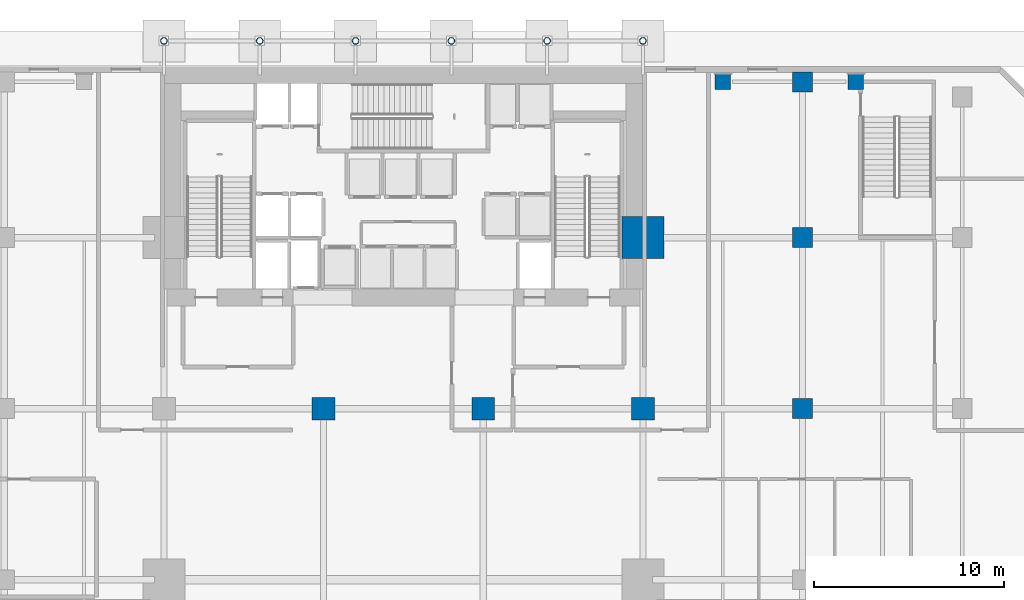
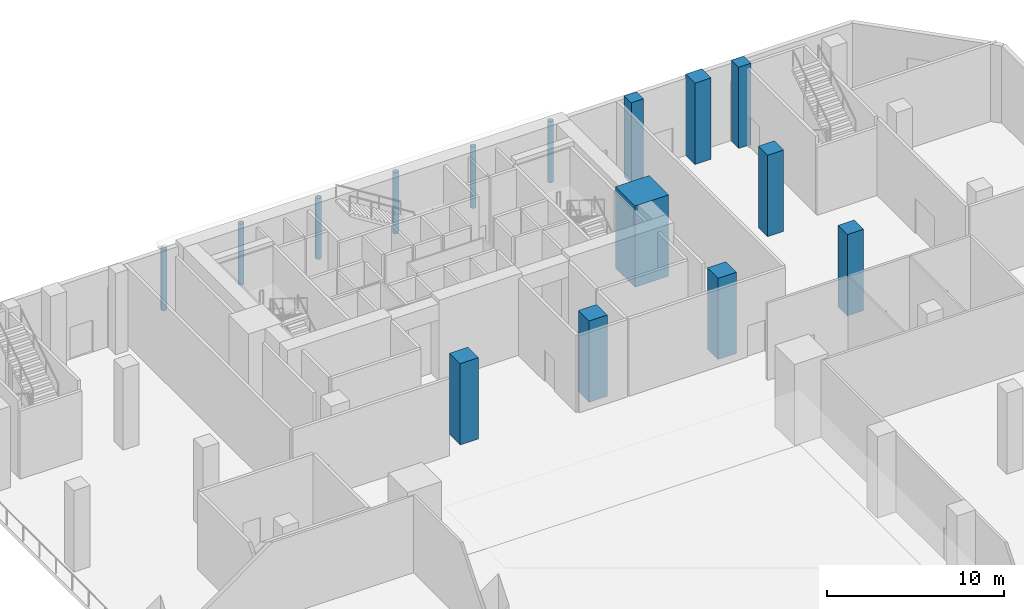
# One storey, part 2 of 35: 15 columns.
"""IFC4 building model written with IfcOpenShell, lengths in metres."""

from ifc_helpers import new_model, si_unit, direction, frame, origin, origin_2d, place, context, subcontext, project, spatial, rectangle, hollow_circle, extrude, material, material_profile, profile_set, type_object, element, save


model = new_model("IFC4")

# Units and contexts
model_context = context("Model", 3, precision=1e-05, world=origin(), true_north=direction((0.0, 1.0)))
body_context = subcontext(model_context, "Body", "Model", "MODEL_VIEW")
ifc_project = project(units=[si_unit("LENGTHUNIT", "METRE"), si_unit("AREAUNIT", "SQUARE_METRE"), si_unit("VOLUMEUNIT", "CUBIC_METRE"), si_unit("PLANEANGLEUNIT", "RADIAN"), si_unit("MASSUNIT", "GRAM", prefix="KILO")], contexts=[model_context])

# Site, building, storey
site_placement = place(None, origin())
site = spatial("IfcSite", under=ifc_project, at=site_placement, CompositionType="ELEMENT")
building_placement = place(site_placement, origin())
building = spatial("IfcBuilding", under=site, at=building_placement, Name="Maruvema Waterfront Hotel and Observation Tower", CompositionType="ELEMENT")
storey_placement = place(building_placement, origin())
storey = spatial("IfcBuildingStorey", under=building, at=storey_placement, Name="L00", CompositionType="ELEMENT", Elevation=0.0)

# Columns
ifc_material_1 = material(Name="Concrete C80/95", Category="concrete")
ifc_material_profile_1 = material_profile(ifc_material_1, rectangle(XDim=2.199951171875, YDim=2.199951171875, at=origin_2d()), Name="MC2200x2200")
ifc_profile_set_1 = profile_set([ifc_material_profile_1], Name="Concrete C80/95")
column_type_1 = type_object("IfcColumnType", Name="Continuous Mega-Column MC2200x2200", PredefinedType="COLUMN", material=ifc_profile_set_1)
column_placement = place(storey_placement, frame((50.39990234375, 45.0, 0.0), z_axis=(0.0, 0.0, 1.0), x_axis=(1.0, 0.0, 0.0)))
element("IfcColumn", 1, at=column_placement, inside=storey, type_object=column_type_1, Name="L00 Continuous Mega-Column MC-04", PredefinedType="COLUMN", context=body_context, shape_type="SweptSolid", body=[
    extrude(rectangle(XDim=2.199951171875, YDim=2.199951171875, at=origin_2d()), origin(), (0.0, 0.0, 1.0), 5.60009765625),
])
ifc_material_2 = material(Name="Concrete C60/75", Category="concrete")
ifc_material_profile_2 = material_profile(ifc_material_2, rectangle(XDim=1.050048828125, YDim=1.050048828125, at=origin_2d()), Name="RC1050x1050")
ifc_profile_set_2 = profile_set([ifc_material_profile_2], Name="Concrete C60/75")
column_type_2 = type_object("IfcColumnType", Name="Reinforced Concrete Column RC1050x1050", PredefinedType="COLUMN", material=ifc_profile_set_2)
for number, where, z_axis, x_axis, name in (
    (2, (58.800048828125, 36.0, 0.0), (0.0, 0.0, 1.0), (1.0, 0.0, 0.0), "L00 Column C-8Y36"),
    (3, (58.800048828125, 45.0, 0.0), (0.0, 0.0, 1.0), (1.0, 0.0, 0.0), "L00 Column C-8Y45"),
    (4, (58.800048828125, 53.199951171875, 0.0), (0.0, 0.0, 1.0), (1.0, 0.0, 0.0), "L00 Column C-8G"),
):
    element("IfcColumn", number, at=place(storey_placement, frame(where, z_axis=z_axis, x_axis=x_axis)), inside=storey, type_object=column_type_2, Name=name, PredefinedType="COLUMN", context=body_context, shape_type="SweptSolid", body=[
        extrude(rectangle(XDim=1.050048828125, YDim=1.050048828125, at=origin_2d()), origin(), (0.0, 0.0, 1.0), 5.60009765625),
    ])
ifc_material_3 = material(Name="Concrete C60/75", Category="concrete")
ifc_material_profile_3 = material_profile(ifc_material_3, rectangle(XDim=1.199951171875, YDim=1.199951171875, at=origin_2d()), Name="RC1200x1200")
ifc_profile_set_3 = profile_set([ifc_material_profile_3], Name="Concrete C60/75")
column_type_3 = type_object("IfcColumnType", Name="Reinforced Concrete Column RC1200x1200", PredefinedType="COLUMN", material=ifc_profile_set_3)
for number, where, z_axis, x_axis, name in (
    (5, (33.60009765625, 36.0, 0.0), (0.0, 0.0, 1.0), (1.0, 0.0, 0.0), "L00 Column C-5E"),
    (6, (42.0, 36.0, 0.0), (0.0, 0.0, 1.0), (1.0, 0.0, 0.0), "L00 Column C-6E"),
    (7, (50.39990234375, 36.0, 0.0), (0.0, 0.0, 1.0), (1.0, 0.0, 0.0), "L00 Column C-7E"),
):
    element("IfcColumn", number, at=place(storey_placement, frame(where, z_axis=z_axis, x_axis=x_axis)), inside=storey, type_object=column_type_3, Name=name, PredefinedType="COLUMN", context=body_context, shape_type="SweptSolid", body=[
        extrude(rectangle(XDim=1.199951171875, YDim=1.199951171875, at=origin_2d()), origin(), (0.0, 0.0, 1.0), 5.60009765625),
    ])
ifc_material_4 = material(Name="Steel ASTM A572 Grade 50", Category="steel")
ifc_material_profile_4 = material_profile(ifc_material_4, hollow_circle(Radius=0.177734375, WallThickness=0.01611328125, at=origin_2d()), Name="CHS355.6x16.0")
ifc_profile_set_4 = profile_set([ifc_material_profile_4], Name="Steel ASTM A572 Grade 50")
column_type_4 = type_object("IfcColumnType", Name="Structural Steel Column CHS355.6x16.0", PredefinedType="COLUMN", material=ifc_profile_set_4)
for number, where, z_axis, x_axis, name in (
    (8, (25.199951171875, 55.35009765625, 0.0), (0.0, 0.0, 1.0), (1.0, 0.0, 0.0), "L00 Entrance Canopy Column 01"),
    (9, (30.239990234375, 55.35009765625, 0.0), (0.0, 0.0, 1.0), (1.0, 0.0, 0.0), "L00 Entrance Canopy Column 02"),
    (10, (35.280029296875, 55.35009765625, 0.0), (0.0, 0.0, 1.0), (1.0, 0.0, 0.0), "L00 Entrance Canopy Column 03"),
    (11, (40.320068359375, 55.35009765625, 0.0), (0.0, 0.0, 1.0), (1.0, 0.0, 0.0), "L00 Entrance Canopy Column 04"),
    (12, (45.360107421875, 55.35009765625, 0.0), (0.0, 0.0, 1.0), (1.0, 0.0, 0.0), "L00 Entrance Canopy Column 05"),
    (13, (50.39990234375, 55.35009765625, 0.0), (0.0, 0.0, 1.0), (1.0, 0.0, 0.0), "L00 Entrance Canopy Column 06"),
):
    element("IfcColumn", number, at=place(storey_placement, frame(where, z_axis=z_axis, x_axis=x_axis)), inside=storey, type_object=column_type_4, Name=name, PredefinedType="COLUMN", context=body_context, shape_type="SweptSolid", body=[
        extrude(hollow_circle(Radius=0.177734375, WallThickness=0.01611328125, at=origin_2d()), origin(), (0.0, 0.0, 1.0), 4.199951171875),
    ])
ifc_material_5 = material(Name="Concrete C60/75", Category="concrete")
ifc_material_profile_5 = material_profile(ifc_material_5, rectangle(XDim=0.800048828125, YDim=0.800048828125, at=origin_2d()), Name="RC800x800")
ifc_profile_set_5 = profile_set([ifc_material_profile_5], Name="Concrete C60/75")
column_type_5 = type_object("IfcColumnType", Name="Waterfront Colonnade Pilaster RC800x800", PredefinedType="PILASTER", material=ifc_profile_set_5)
for number, where, z_axis, x_axis, name in (
    (14, (54.60009765625, 53.199951171875, 0.0), (0.0, 0.0, 1.0), (1.0, 0.0, 0.0), "L00 Column PL-N3"),
    (15, (61.60009765625, 53.199951171875, 0.0), (0.0, 0.0, 1.0), (1.0, 0.0, 0.0), "L00 Column PL-N4"),
):
    element("IfcColumn", number, at=place(storey_placement, frame(where, z_axis=z_axis, x_axis=x_axis)), inside=storey, type_object=column_type_5, Name=name, PredefinedType="PILASTER", context=body_context, shape_type="SweptSolid", body=[
        extrude(rectangle(XDim=0.800048828125, YDim=0.800048828125, at=origin_2d()), origin(), (0.0, 0.0, 1.0), 5.60009765625),
    ])

save(model, "model.ifc")
